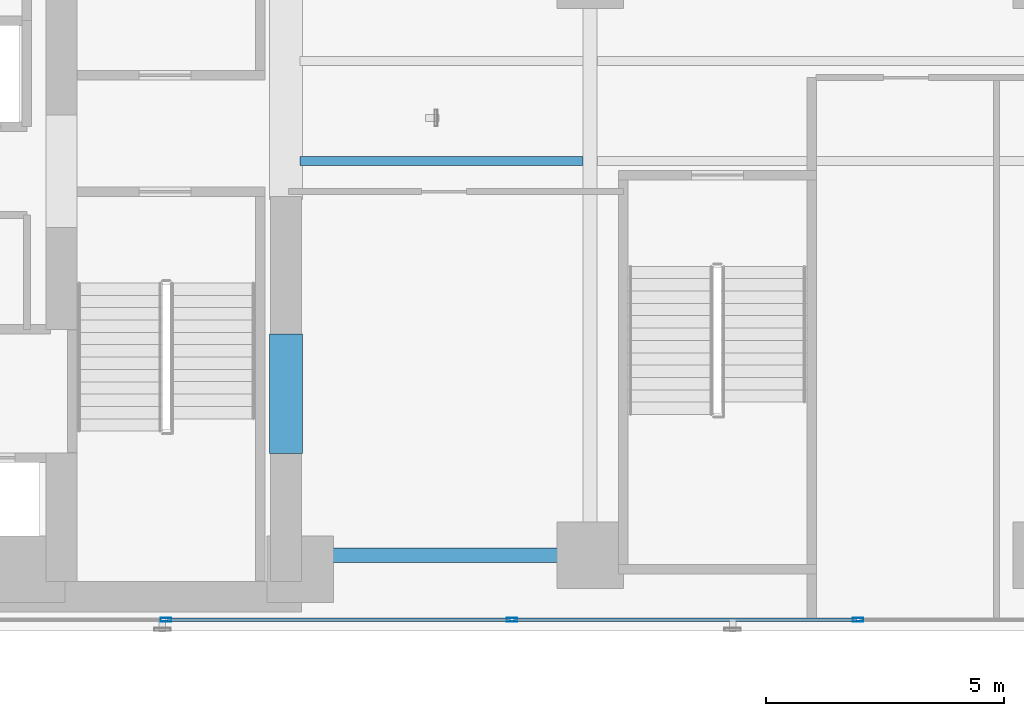
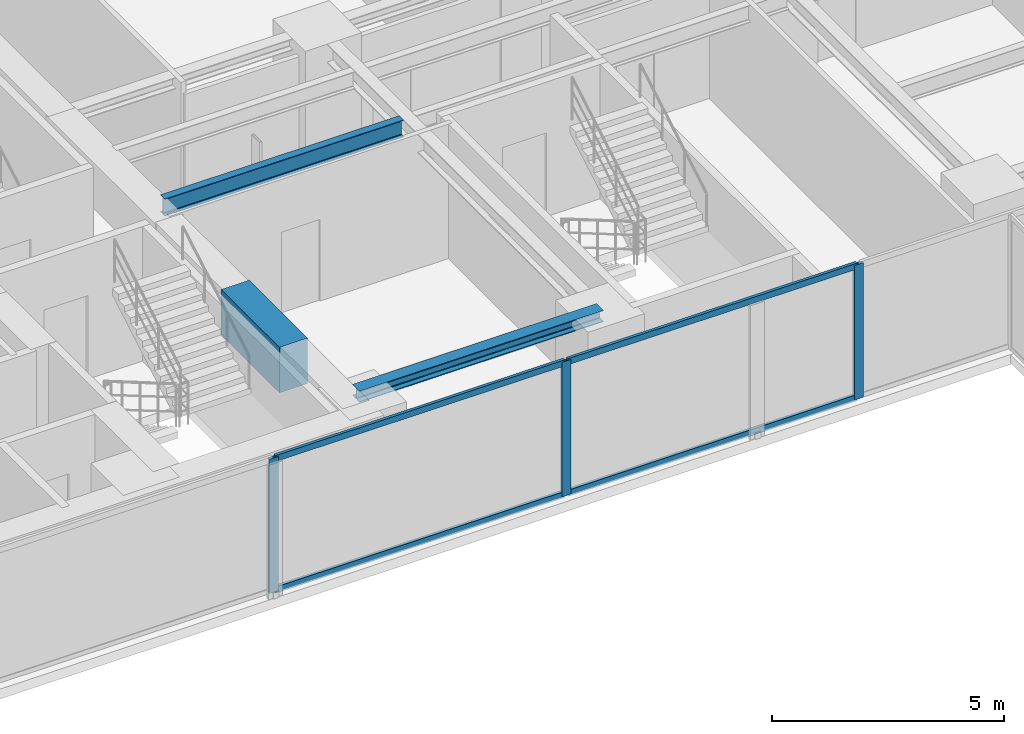
# One storey, part 4 of 28: 7 members, 3 beams, 1 element without a shape of its own.
"""IFC4 building model written with IfcOpenShell, lengths in metres."""

from ifc_helpers import new_model, si_unit, direction, frame, origin, origin_with_axes, origin_2d, place, context, subcontext, project, spatial, rectangle, hollow_rectangle, i_section, extrude, source, transform, mapped, material, layer, layer_set, material_profile, profile_set, type_object, element, aggregate, save


model = new_model("IFC4")

# Units and contexts
model_context = context("Model", 3, precision=1e-05, world=origin(), true_north=direction((0.0, 1.0)))
body_context = subcontext(model_context, "Body", "Model", "MODEL_VIEW")
ifc_project = project(units=[si_unit("LENGTHUNIT", "METRE"), si_unit("AREAUNIT", "SQUARE_METRE"), si_unit("VOLUMEUNIT", "CUBIC_METRE"), si_unit("PLANEANGLEUNIT", "RADIAN"), si_unit("MASSUNIT", "GRAM", prefix="KILO")], contexts=[model_context])

# Site, building, storey
site_placement = place(None, origin())
site = spatial("IfcSite", under=ifc_project, at=site_placement, CompositionType="ELEMENT")
building_placement = place(site_placement, origin())
building = spatial("IfcBuilding", under=site, at=building_placement, Name="Kolvaren Waterfront Exchange", CompositionType="ELEMENT")
storey_placement = place(building_placement, frame((0.0, 0.0, 133.5)))
storey = spatial("IfcBuildingStorey", under=building, at=storey_placement, Name="L34", CompositionType="ELEMENT", Elevation=133.5)

# Beams
ifc_material_1 = material(Name="Steel S355", Category="steel")
ifc_material_profile_1 = material_profile(ifc_material_1, i_section(OverallWidth=0.300048828125, OverallDepth=0.300048828125, WebThickness=0.010986328125, FlangeThickness=0.01904296875, FilletRadius=0.027099609375, at=origin_2d()), Name="HEB300")
ifc_profile_set_1 = profile_set([ifc_material_profile_1], Name="Steel S355")
beam_type_1 = type_object("IfcBeamType", Name="STR-BM-HEB300", PredefinedType="SPANDREL", material=ifc_profile_set_1)
beam_1_placement = place(storey_placement, frame((21.125, 5.199951171875, 3.389892578125), z_axis=(1.0, 0.0, 0.0), x_axis=(0.0, 1.0, 0.0)))
element("IfcBeam", 1, at=beam_1_placement, inside=storey, type_object=beam_type_1, Name="L34 east-arm spandrel S1", PredefinedType="SPANDREL", context=body_context, shape_type="SweptSolid", body=[
    extrude(i_section(OverallWidth=0.300048828125, OverallDepth=0.300048828125, WebThickness=0.010986328125, FlangeThickness=0.01904296875, FilletRadius=0.027099609375, at=origin_2d()), origin(), (0.0, 0.0, 1.0), 6.074951171875),
])
ifc_material_profile_2 = material_profile(ifc_material_1, i_section(OverallWidth=0.18994140625, OverallDepth=0.449951171875, WebThickness=0.009521484375, FlangeThickness=0.0146484375, FilletRadius=0.02099609375, at=origin_2d()), Name="IPE450")
ifc_profile_set_2 = profile_set([ifc_material_profile_2], Name="Steel S355")
beam_type_2 = type_object("IfcBeamType", Name="STR-BM-IPE450", PredefinedType="JOIST", material=ifc_profile_set_2)
beam_2_placement = place(storey_placement, frame((21.10009765625, 13.5, 3.31494140625), z_axis=(1.0, 0.0, 0.0), x_axis=(0.0, 1.0, 0.0)))
element("IfcBeam", 2, at=beam_2_placement, inside=storey, type_object=beam_type_2, Name="L34 east-arm composite joist 1A", PredefinedType="JOIST", context=body_context, shape_type="SweptSolid", body=[
    extrude(i_section(OverallWidth=0.18994140625, OverallDepth=0.449951171875, WebThickness=0.009521484375, FlangeThickness=0.0146484375, FilletRadius=0.02099609375, at=origin_2d()), origin(), (0.0, 0.0, 1.0), 5.947998046875),
])
ifc_material_2 = material(Name="Concrete C70/85", Category="concrete")
ifc_material_profile_3 = material_profile(ifc_material_2, rectangle(XDim=0.699951171875, YDim=1.199951171875, at=origin_2d()), Name="RC-CB-1200x700")
ifc_profile_set_3 = profile_set([ifc_material_profile_3], Name="Concrete C70/85")
beam_type_3 = type_object("IfcBeamType", Name="STR-CB-1200", PredefinedType="SPANDREL", material=ifc_profile_set_3)
beam_3_placement = place(storey_placement, frame((20.800048828125, 7.340087890625, 2.93994140625), z_axis=(0.0, 1.0, 0.0), x_axis=(-1.0, 0.0, 0.0)))
element("IfcBeam", 3, at=beam_3_placement, inside=storey, type_object=beam_type_3, Name="L34 core coupling beam 1", PredefinedType="SPANDREL", context=body_context, shape_type="SweptSolid", body=[
    extrude(rectangle(XDim=0.699951171875, YDim=1.199951171875, at=origin_2d()), origin(), (0.0, 0.0, 1.0), 2.52001953125),
])

# Curtain wall, members
ifc_material_3 = material(Name="Anodised bronze aluminium 6063-T6", Category="aluminium")
ifc_layer = layer(ifc_material_3, 0.219970703125, Name="Anodised bronze aluminium 6063-T6")
ifc_layer_set = layer_set([ifc_layer], Name="Anodised bronze aluminium 6063-T6")
curtain_wall_type = type_object("IfcCurtainWallType", Name="ARC-CW-SYS1", PredefinedType="USERDEFINED", material=ifc_layer_set)
curtain_wall_placement = place(storey_placement, origin())
curtain_wall = element("IfcCurtainWall", 4, at=curtain_wall_placement, inside=storey, type_object=curtain_wall_type, Name="L34 stick curtain wall CW1 (CW-L34-S)", ObjectType="STICK CURTAIN WALL", PredefinedType="USERDEFINED")
ifc_material_4 = material(Name="Anodised aluminium 6063-T6", Category="aluminium")
ifc_material_profile_4 = material_profile(ifc_material_4, hollow_rectangle(XDim=0.080078125, YDim=0.219970703125, WallThickness=0.0048828125, at=origin_2d()), Name="ALU-MUL-220x80x5")
ifc_profile_set_4 = profile_set([ifc_material_profile_4], Name="Anodised aluminium 6063-T6")
member_type_1 = type_object("IfcMemberType", Name="ARC-CWM-220", PredefinedType="MULLION", material=ifc_profile_set_4)
shared_shape_1 = source(origin_with_axes(), body_context, "Body", "SweptSolid", [
    extrude(hollow_rectangle(XDim=0.080078125, YDim=0.219970703125, WallThickness=0.0048828125, at=origin_2d()), origin(), (0.0, 0.0, 1.0), 3.5400390625),
])
member_1_placement = place(storey_placement, frame((18.271484375, 3.840087890625, 0.0), z_axis=(0.0, 0.0, 1.0), x_axis=(0.0, 1.0, 0.0)))
member_1 = element("IfcMember", 5, at=member_1_placement, type_object=member_type_1, Name="CW1 mullion 3", PredefinedType="MULLION", context=body_context, shape_type="MappedRepresentation", body=[
    mapped(shared_shape_1, transform((0.0, 0.0, 0.0), x_axis=(1.0, 0.0, 0.0), y_axis=(0.0, 1.0, 0.0), z_axis=(0.0, 0.0, 1.0), scale=1.0)),
])
member_2_placement = place(storey_placement, frame((25.55712890625, 3.840087890625, 0.0), z_axis=(0.0, 0.0, 1.0), x_axis=(0.0, 1.0, 0.0)))
member_2 = element("IfcMember", 6, at=member_2_placement, type_object=member_type_1, Name="CW1 mullion 4", PredefinedType="MULLION", context=body_context, shape_type="MappedRepresentation", body=[
    mapped(shared_shape_1, transform((0.0, 0.0, 0.0), x_axis=(1.0, 0.0, 0.0), y_axis=(0.0, 1.0, 0.0), z_axis=(0.0, 0.0, 1.0), scale=1.0)),
])
member_3_placement = place(storey_placement, frame((32.8427734375, 3.840087890625, 0.0), z_axis=(0.0, 0.0, 1.0), x_axis=(0.0, 1.0, 0.0)))
member_3 = element("IfcMember", 7, at=member_3_placement, type_object=member_type_1, Name="CW1 mullion 5", PredefinedType="MULLION", context=body_context, shape_type="MappedRepresentation", body=[
    mapped(shared_shape_1, transform((0.0, 0.0, 0.0), x_axis=(1.0, 0.0, 0.0), y_axis=(0.0, 1.0, 0.0), z_axis=(0.0, 0.0, 1.0), scale=1.0)),
])
ifc_material_profile_5 = material_profile(ifc_material_4, hollow_rectangle(XDim=0.074951171875, YDim=0.159912109375, WallThickness=0.00439453125, at=origin_2d()), Name="ALU-TRN-160x75x4.5")
ifc_profile_set_5 = profile_set([ifc_material_profile_5], Name="Anodised aluminium 6063-T6")
member_type_2 = type_object("IfcMemberType", Name="ARC-CWT-160", PredefinedType="USERDEFINED", material=ifc_profile_set_5)
shared_shape_2 = source(origin_with_axes(), body_context, "Body", "SweptSolid", [
    extrude(hollow_rectangle(XDim=0.074951171875, YDim=0.159912109375, WallThickness=0.00439453125, at=origin_2d()), origin(), (0.0, 0.0, 1.0), 7.205810546875),
])
member_4_placement = place(storey_placement, frame((25.59716796875, 3.840087890625, 0.03759765625), z_axis=(1.0, 0.0, 0.0), x_axis=(0.0, 1.0, 0.0)))
member_4 = element("IfcMember", 8, at=member_4_placement, type_object=member_type_2, Name="CW1 transom 4.1", ObjectType="TRANSOM", PredefinedType="USERDEFINED", context=body_context, shape_type="MappedRepresentation", body=[
    mapped(shared_shape_2, transform((0.0, 0.0, 0.0), x_axis=(1.0, 0.0, 0.0), y_axis=(0.0, 1.0, 0.0), z_axis=(0.0, 0.0, 1.0), scale=1.0)),
])
member_5_placement = place(storey_placement, frame((25.59716796875, 3.840087890625, 3.50244140625), z_axis=(1.0, 0.0, 0.0), x_axis=(0.0, 1.0, 0.0)))
member_5 = element("IfcMember", 9, at=member_5_placement, type_object=member_type_2, Name="CW1 transom 4.2", ObjectType="TRANSOM", PredefinedType="USERDEFINED", context=body_context, shape_type="MappedRepresentation", body=[
    mapped(shared_shape_2, transform((0.0, 0.0, 0.0), x_axis=(1.0, 0.0, 0.0), y_axis=(0.0, 1.0, 0.0), z_axis=(0.0, 0.0, 1.0), scale=1.0)),
])
shared_shape_3 = source(origin_with_axes(), body_context, "Body", "SweptSolid", [
    extrude(hollow_rectangle(XDim=0.074951171875, YDim=0.159912109375, WallThickness=0.00439453125, at=origin_2d()), origin(), (0.0, 0.0, 1.0), 7.20556640625),
])
member_6_placement = place(storey_placement, frame((18.3115234375, 3.840087890625, 0.03759765625), z_axis=(1.0, 0.0, 0.0), x_axis=(0.0, 1.0, 0.0)))
member_6 = element("IfcMember", 10, at=member_6_placement, type_object=member_type_2, Name="CW1 transom 3.1", ObjectType="TRANSOM", PredefinedType="USERDEFINED", context=body_context, shape_type="MappedRepresentation", body=[
    mapped(shared_shape_3, transform((0.0, 0.0, 0.0), x_axis=(1.0, 0.0, 0.0), y_axis=(0.0, 1.0, 0.0), z_axis=(0.0, 0.0, 1.0), scale=1.0)),
])
member_7_placement = place(storey_placement, frame((18.3115234375, 3.840087890625, 3.50244140625), z_axis=(1.0, 0.0, 0.0), x_axis=(0.0, 1.0, 0.0)))
member_7 = element("IfcMember", 11, at=member_7_placement, type_object=member_type_2, Name="CW1 transom 3.2", ObjectType="TRANSOM", PredefinedType="USERDEFINED", context=body_context, shape_type="MappedRepresentation", body=[
    mapped(shared_shape_3, transform((0.0, 0.0, 0.0), x_axis=(1.0, 0.0, 0.0), y_axis=(0.0, 1.0, 0.0), z_axis=(0.0, 0.0, 1.0), scale=1.0)),
])
aggregate(curtain_wall, [member_1, member_2, member_3, member_6, member_7, member_4, member_5])

save(model, "model.ifc")
